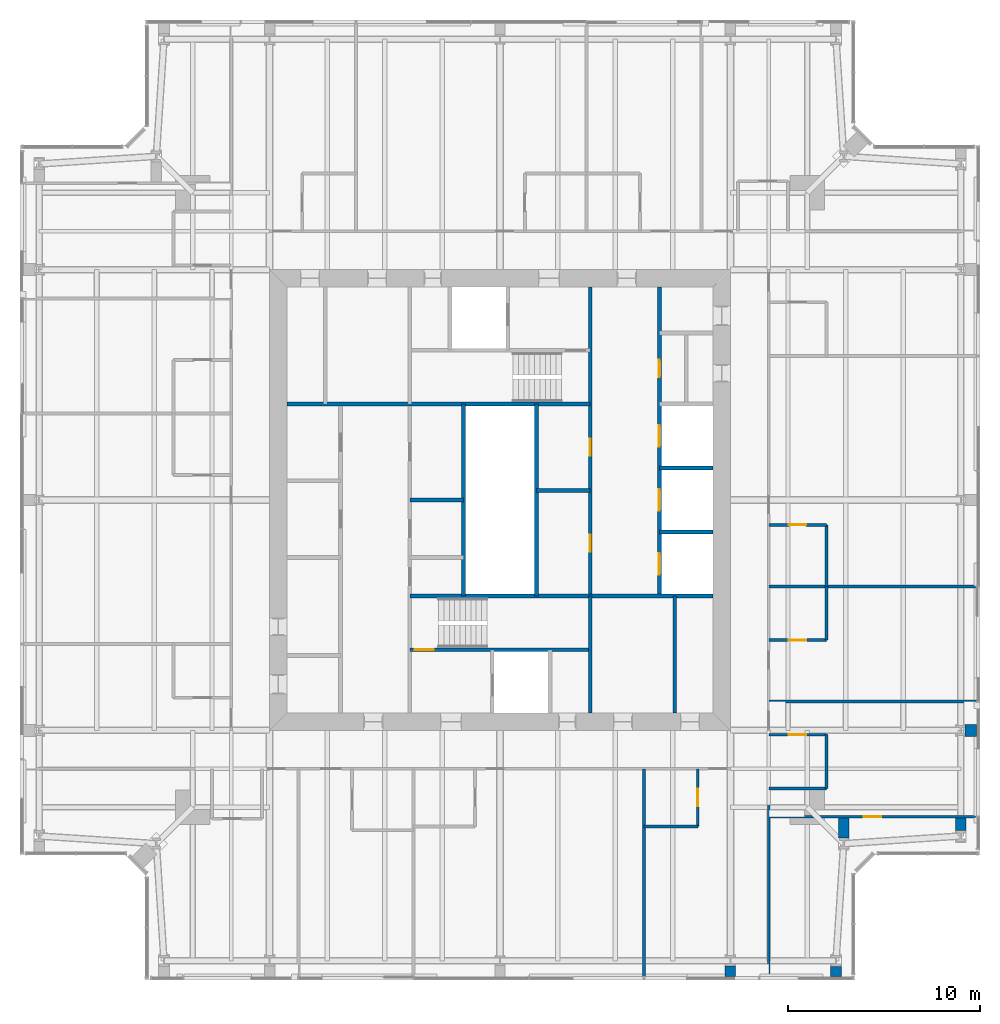
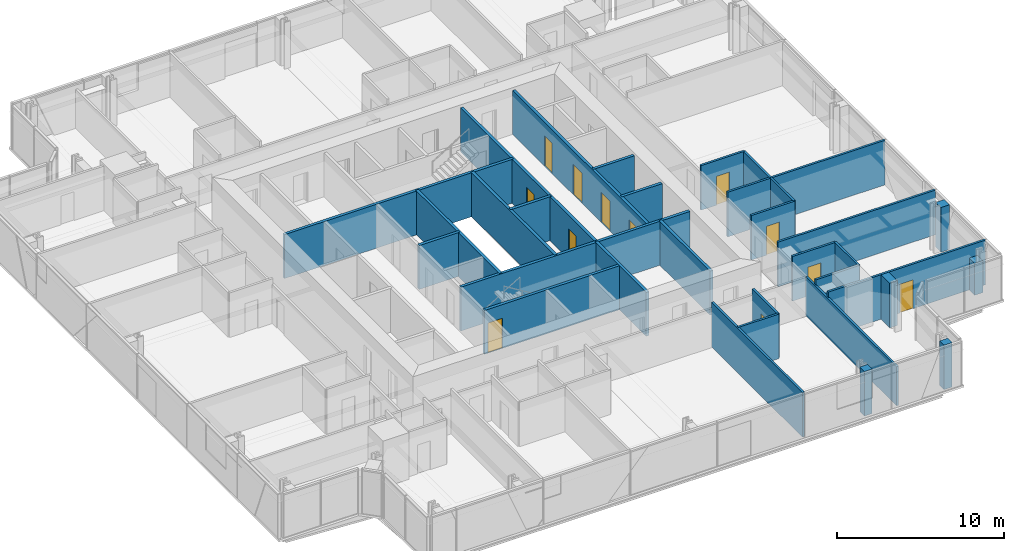
# One storey, part 13 of 19: 32 walls, 12 doors, 12 openings.
"""IFC4 building model written with IfcOpenShell, lengths in metres."""

from ifc_helpers import new_model, si_unit, direction, frame, frame_2d, origin, place, context, subcontext, project, spatial, rectangle, extrude, material, layer, layer_set, type_object, element, fill, save


model = new_model("IFC4")

# Units and contexts
model_context = context("Model", 3, precision=1e-05, world=origin(), true_north=direction((0.0, 1.0)))
body_context = subcontext(model_context, "Body", "Model", "MODEL_VIEW")
ifc_project = project(units=[si_unit("LENGTHUNIT", "METRE"), si_unit("AREAUNIT", "SQUARE_METRE"), si_unit("VOLUMEUNIT", "CUBIC_METRE"), si_unit("PLANEANGLEUNIT", "RADIAN"), si_unit("MASSUNIT", "GRAM", prefix="KILO")], contexts=[model_context])

# Site, building, storey
site_placement = place(None, origin())
site = spatial("IfcSite", under=ifc_project, at=site_placement, CompositionType="ELEMENT")
building_placement = place(site_placement, origin())
building = spatial("IfcBuilding", under=site, at=building_placement, Name="Fenwick Lantern Interchange", CompositionType="ELEMENT")
storey_placement = place(building_placement, frame((0.0, 0.0, 273.0)))
storey = spatial("IfcBuildingStorey", under=building, at=storey_placement, Name="L65", CompositionType="ELEMENT", Elevation=273.0)

# Walls
ifc_material_1 = material(Name="Fire-rated gypsum board encasement on steel studs, 2 hour", Category="steel")
ifc_layer_1 = layer(ifc_material_1, 0.5419921875)
ifc_layer_set_1 = layer_set([ifc_layer_1], Name="COLUMN PIER 542")
wall_type_1 = type_object("IfcWallType", Name="COLUMN PIER 542", PredefinedType="PARTITIONING", material=ifc_layer_set_1)
wall_1_placement = place(storey_placement, frame((37.0, 0.18994140625, 0.0), z_axis=(0.0, 0.0, 1.0), x_axis=(0.0, 1.0, 0.0)))
element("IfcWall", 1, at=wall_1_placement, inside=storey, type_object=wall_type_1, Name="L65/W/PIER/CS4", PredefinedType="PARTITIONING", context=body_context, shape_type="SweptSolid", body=[
    extrude(rectangle(XDim=0.544677734375, YDim=0.5419921875, at=frame_2d((0.2724609375, 0.0))), origin(), (0.0, 0.0, 1.0), 3.25),
])
ifc_layer_2 = layer(ifc_material_1, 0.554931640625)
ifc_layer_set_2 = layer_set([ifc_layer_2], Name="COLUMN PIER 555")
wall_type_2 = type_object("IfcWallType", Name="COLUMN PIER 555", PredefinedType="PARTITIONING", material=ifc_layer_set_2)
wall_2_placement = place(storey_placement, frame((42.5, 0.18994140625, 0.0), z_axis=(0.0, 0.0, 1.0), x_axis=(0.0, 1.0, 0.0)))
element("IfcWall", 2, at=wall_2_placement, inside=storey, type_object=wall_type_2, Name="L65/W/PIER/CS5", PredefinedType="PARTITIONING", context=body_context, shape_type="SweptSolid", body=[
    extrude(rectangle(XDim=0.525634765625, YDim=0.554931640625, at=frame_2d((0.2626953125, 0.0))), origin(), (0.0, 0.0, 1.0), 3.25),
])
wall_3_placement = place(storey_placement, frame((42.89990234375, 8.425048828125, 0.0), z_axis=(0.0, 0.0, 1.0), x_axis=(0.0, -1.0, 0.0)))
element("IfcWall", 3, at=wall_3_placement, inside=storey, type_object=wall_type_2, Name="L65/W/PIER/CSR", PredefinedType="PARTITIONING", context=body_context, shape_type="SweptSolid", body=[
    extrude(rectangle(XDim=1.04052734375, YDim=0.554931640625, at=frame_2d((0.520263671875, 0.0))), origin(), (0.0, 0.0, 1.0), 3.25),
])
wall_4_placement = place(storey_placement, frame((49.0, 8.425048828125, 0.0), z_axis=(0.0, 0.0, 1.0), x_axis=(0.0, -1.0, 0.0)))
element("IfcWall", 4, at=wall_4_placement, inside=storey, type_object=wall_type_2, Name="L65/W/PIER/CE1", PredefinedType="PARTITIONING", context=body_context, shape_type="SweptSolid", body=[
    extrude(rectangle(XDim=0.640625, YDim=0.554931640625, at=frame_2d((0.3203125, 0.0))), origin(), (0.0, 0.0, 1.0), 2.338134765625),
])
ifc_layer_3 = layer(ifc_material_1, 0.631103515625)
ifc_layer_set_3 = layer_set([ifc_layer_3], Name="COLUMN PIER 631")
wall_type_3 = type_object("IfcWallType", Name="COLUMN PIER 631", PredefinedType="PARTITIONING", material=ifc_layer_set_3)
wall_5_placement = place(storey_placement, frame((49.81005859375, 13.0, 0.0), z_axis=(0.0, 0.0, 1.0), x_axis=(-1.0, 0.0, 0.0)))
element("IfcWall", 5, at=wall_5_placement, inside=storey, type_object=wall_type_3, Name="L65/W/PIER/CE2", PredefinedType="PARTITIONING", context=body_context, shape_type="SweptSolid", body=[
    extrude(rectangle(XDim=0.589111328125, YDim=0.631103515625, at=frame_2d((0.29443359375, 0.0))), origin(), (0.0, 0.0, 1.0), 3.25),
])
ifc_material_2 = material(Name="Concrete masonry ASTM C90 Grade N", Category="masonry")
ifc_layer_4 = layer(ifc_material_2, 0.199951171875)
ifc_layer_set_4 = layer_set([ifc_layer_4], Name="Concrete masonry ASTM C90 Grade N")
wall_type_4 = type_object("IfcWallType", Name="CORE PARTITION 200", PredefinedType="PARTITIONING", material=ifc_layer_set_4)
wall_6_placement = place(storey_placement, frame((23.10009765625, 20.0, 0.0), z_axis=(0.0, 0.0, 1.0), x_axis=(0.0, 1.0, 0.0)))
element("IfcWall", 6, at=wall_6_placement, inside=storey, type_object=wall_type_4, Name="L65/W/CORES/e3", PredefinedType="PARTITIONING", context=body_context, shape_type="SweptSolid", body=[
    extrude(rectangle(XDim=10.0, YDim=0.199951171875, at=frame_2d((5.0, 0.0))), origin(), (0.0, 0.0, 1.0), 3.199951171875),
])
wall_7_placement = place(storey_placement, frame((34.10009765625, 13.89990234375, 0.0), z_axis=(0.0, 0.0, 1.0), x_axis=(0.0, 1.0, 0.0)))
element("IfcWall", 7, at=wall_7_placement, inside=storey, type_object=wall_type_4, Name="L65/W/CORES/i2", PredefinedType="PARTITIONING", context=body_context, shape_type="SweptSolid", body=[
    extrude(rectangle(XDim=6.10009765625, YDim=0.199951171875, at=frame_2d((3.050048828125, 0.0))), origin(), (0.0, 0.0, 1.0), 3.199951171875),
])
wall_8_placement = place(storey_placement, frame((20.300048828125, 25.0, 0.0), z_axis=(0.0, 0.0, 1.0), x_axis=(1.0, 0.0, 0.0)))
element("IfcWall", 8, at=wall_8_placement, inside=storey, type_object=wall_type_4, Name="L65/W/CORES/q2", PredefinedType="PARTITIONING", context=body_context, shape_type="SweptSolid", body=[
    extrude(rectangle(XDim=2.800048828125, YDim=0.199951171875, at=frame_2d((1.39990234375, 0.0))), origin(), (0.0, 0.0, 1.0), 3.199951171875),
])

# Wall, openings, doors
wall_9_placement = place(storey_placement, frame((33.300048828125, 36.10009765625, 0.0), z_axis=(0.0, 0.0, 1.0), x_axis=(0.0, -1.0, 0.0)))
wall_9 = element("IfcWall", 9, at=wall_9_placement, inside=storey, type_object=wall_type_4, Name="L65/W/COREN/a", PredefinedType="PARTITIONING", context=body_context, shape_type="SweptSolid", body=[
    extrude(rectangle(XDim=16.10009765625, YDim=0.199951171875, at=frame_2d((8.050048828125, 0.0))), origin(), (0.0, 0.0, 1.0), 3.199951171875),
])
opening_1_placement = place(wall_9_placement, frame((3.800048828125, 0.0, 0.0)))
opening_1 = element("IfcOpeningElement", 10, at=opening_1_placement, cuts=wall_9, Name="Opening L65-D021", PredefinedType="OPENING", context=body_context, shape_type="SweptSolid", body=[
    extrude(rectangle(XDim=0.89990234375, YDim=2.199951171875, at=frame_2d((0.449951171875, 1.10009765625))), frame((0.0, 0.10986328125, 0.0), z_axis=(0.0, -1.0, 0.0), x_axis=(1.0, 0.0, 0.0)), (0.0, 0.0, 1.0), 0.219970703125),
])
opening_2_placement = place(wall_9_placement, frame((7.216552734375, 0.0, 0.0)))
opening_2 = element("IfcOpeningElement", 11, at=opening_2_placement, cuts=wall_9, Name="Opening LD-E1-1", PredefinedType="OPENING", context=body_context, shape_type="SweptSolid", body=[
    extrude(rectangle(XDim=1.10009765625, YDim=2.199951171875, at=frame_2d((0.550048828125, 1.10009765625))), frame((0.0, 0.10986328125, 0.0), z_axis=(0.0, -1.0, 0.0), x_axis=(1.0, 0.0, 0.0)), (0.0, 0.0, 1.0), 0.219970703125),
])
opening_3_placement = place(wall_9_placement, frame((10.550048828125, 0.0, 0.0)))
opening_3 = element("IfcOpeningElement", 12, at=opening_3_placement, cuts=wall_9, Name="Opening LD-E1-2", PredefinedType="OPENING", context=body_context, shape_type="SweptSolid", body=[
    extrude(rectangle(XDim=1.10009765625, YDim=2.199951171875, at=frame_2d((0.550048828125, 1.10009765625))), frame((0.0, 0.10986328125, 0.0), z_axis=(0.0, -1.0, 0.0), x_axis=(1.0, 0.0, 0.0)), (0.0, 0.0, 1.0), 0.219970703125),
])
opening_4_placement = place(wall_9_placement, frame((13.88330078125, 0.0, 0.0)))
opening_4 = element("IfcOpeningElement", 13, at=opening_4_placement, cuts=wall_9, Name="Opening LD-E1-3", PredefinedType="OPENING", context=body_context, shape_type="SweptSolid", body=[
    extrude(rectangle(XDim=1.10009765625, YDim=2.199951171875, at=frame_2d((0.550048828125, 1.10009765625))), frame((0.0, 0.10986328125, 0.0), z_axis=(0.0, -1.0, 0.0), x_axis=(1.0, 0.0, 0.0)), (0.0, 0.0, 1.0), 0.219970703125),
])
ifc_material_3 = material(Name="Steel door and frame", Category="steel")
door_type_1 = type_object("IfcDoorType", Name="LIFT LANDING DOOR 1100 X 2200", OperationType="DOUBLE_DOOR_SLIDING", PredefinedType="DOOR", material=ifc_material_3)
door_1_placement = place(opening_2_placement, origin())
door_1 = element("IfcDoor", 14, at=door_1_placement, inside=storey, type_object=door_type_1, Name="Lift landing door E1-1", OperationType="DOUBLE_DOOR_SLIDING", OverallHeight=2.199951171875, OverallWidth=1.10009765625, PredefinedType="DOOR", context=body_context, shape_type="SweptSolid", body=[
    extrude(rectangle(XDim=1.10009765625, YDim=2.199951171875, at=frame_2d((0.550048828125, 1.10009765625))), frame((0.0, 0.02490234375, 0.0), z_axis=(0.0, -1.0, 0.0), x_axis=(1.0, 0.0, 0.0)), (0.0, 0.0, 1.0), 0.050048828125),
])
fill(opening_2, door_1)
door_2_placement = place(opening_3_placement, origin())
door_2 = element("IfcDoor", 15, at=door_2_placement, inside=storey, type_object=door_type_1, Name="Lift landing door E1-2", OperationType="DOUBLE_DOOR_SLIDING", OverallHeight=2.199951171875, OverallWidth=1.10009765625, PredefinedType="DOOR", context=body_context, shape_type="SweptSolid", body=[
    extrude(rectangle(XDim=1.10009765625, YDim=2.199951171875, at=frame_2d((0.550048828125, 1.10009765625))), frame((0.0, 0.02490234375, 0.0), z_axis=(0.0, -1.0, 0.0), x_axis=(1.0, 0.0, 0.0)), (0.0, 0.0, 1.0), 0.050048828125),
])
fill(opening_3, door_2)
door_3_placement = place(opening_4_placement, origin())
door_3 = element("IfcDoor", 16, at=door_3_placement, inside=storey, type_object=door_type_1, Name="Lift landing door E1-3", OperationType="DOUBLE_DOOR_SLIDING", OverallHeight=2.199951171875, OverallWidth=1.10009765625, PredefinedType="DOOR", context=body_context, shape_type="SweptSolid", body=[
    extrude(rectangle(XDim=1.10009765625, YDim=2.199951171875, at=frame_2d((0.550048828125, 1.10009765625))), frame((0.0, 0.02490234375, 0.0), z_axis=(0.0, -1.0, 0.0), x_axis=(1.0, 0.0, 0.0)), (0.0, 0.0, 1.0), 0.050048828125),
])
fill(opening_4, door_3)
door_type_2 = type_object("IfcDoorType", Name="SERVICE DOOR 900 X 2200", OperationType="SINGLE_SWING_LEFT", PredefinedType="DOOR", material=ifc_material_3)
door_4_placement = place(opening_1_placement, origin())
door_4 = element("IfcDoor", 17, at=door_4_placement, inside=storey, type_object=door_type_2, Name="Service door", OperationType="SINGLE_SWING_LEFT", OverallHeight=2.199951171875, OverallWidth=0.89990234375, PredefinedType="DOOR", context=body_context, shape_type="SweptSolid", body=[
    extrude(rectangle(XDim=0.89990234375, YDim=2.199951171875, at=frame_2d((0.449951171875, 1.10009765625))), frame((0.0, 0.02490234375, 0.0), z_axis=(0.0, -1.0, 0.0), x_axis=(1.0, 0.0, 0.0)), (0.0, 0.0, 1.0), 0.050048828125),
])
fill(opening_1, door_4)

# Walls
for number, where, z_axis, x_axis, name in (
    (18, (36.10009765625, 26.666748046875, 0.0), (0.0, 0.0, 1.0), (-1.0, 0.0, 0.0), "L65/W/COREN/d1"),
    (19, (36.10009765625, 23.333251953125, 0.0), (0.0, 0.0, 1.0), (-1.0, 0.0, 0.0), "L65/W/COREN/d2"),
):
    element("IfcWall", number, at=place(storey_placement, frame(where, z_axis=z_axis, x_axis=x_axis)), inside=storey, type_object=wall_type_4, Name=name, PredefinedType="PARTITIONING", context=body_context, shape_type="SweptSolid", body=[
        extrude(rectangle(XDim=2.800048828125, YDim=0.199951171875, at=frame_2d((1.39990234375, 0.0))), origin(), (0.0, 0.0, 1.0), 3.199951171875),
    ])
wall_10_placement = place(storey_placement, frame((26.89990234375, 30.0, 0.0), z_axis=(0.0, 0.0, 1.0), x_axis=(0.0, -1.0, 0.0)))
element("IfcWall", 20, at=wall_10_placement, inside=storey, type_object=wall_type_4, Name="L65/W/COREN/e3", PredefinedType="PARTITIONING", context=body_context, shape_type="SweptSolid", body=[
    extrude(rectangle(XDim=10.0, YDim=0.199951171875, at=frame_2d((5.0, 0.0))), origin(), (0.0, 0.0, 1.0), 3.199951171875),
])
wall_11_placement = place(storey_placement, frame((29.699951171875, 25.5, 0.0), z_axis=(0.0, 0.0, 1.0), x_axis=(-1.0, 0.0, 0.0)))
element("IfcWall", 21, at=wall_11_placement, inside=storey, type_object=wall_type_4, Name="L65/W/COREN/q1", PredefinedType="PARTITIONING", context=body_context, shape_type="SweptSolid", body=[
    extrude(rectangle(XDim=2.800048828125, YDim=0.199951171875, at=frame_2d((1.39990234375, 0.0))), origin(), (0.0, 0.0, 1.0), 3.199951171875),
])
ifc_material_4 = material(Name="Gypsum board on steel studs, moisture resistant", Category="steel")
ifc_layer_5 = layer(ifc_material_4, 0.14990234375)
ifc_layer_set_5 = layer_set([ifc_layer_5], Name="EN-SUITE WALL 150")
wall_type_5 = type_object("IfcWallType", Name="EN-SUITE WALL 150", PredefinedType="PARTITIONING", material=ifc_layer_set_5)
wall_12_placement = place(storey_placement, frame((32.5, 8.0, 0.0), z_axis=(0.0, 0.0, 1.0), x_axis=(1.0, 0.0, 0.0)))
element("IfcWall", 22, at=wall_12_placement, inside=storey, type_object=wall_type_5, Name="L65/W/HOTEL/S/U4BW", PredefinedType="PARTITIONING", context=body_context, shape_type="SweptSolid", body=[
    extrude(rectangle(XDim=2.800048828125, YDim=0.14990234375, at=frame_2d((1.39990234375, 0.0))), origin(), (0.0, 0.0, 1.0), 3.25),
])

# Wall, opening, door
wall_13_placement = place(storey_placement, frame((35.300048828125, 8.0, 0.0), z_axis=(0.0, 0.0, 1.0), x_axis=(0.0, 1.0, 0.0)))
wall_13 = element("IfcWall", 23, at=wall_13_placement, inside=storey, type_object=wall_type_5, Name="L65/W/HOTEL/S/U4BX", PredefinedType="PARTITIONING", context=body_context, shape_type="SweptSolid", body=[
    extrude(rectangle(XDim=3.0, YDim=0.14990234375, at=frame_2d((1.5, 0.0))), origin(), (0.0, 0.0, 1.0), 3.25),
])
opening_5_placement = place(wall_13_placement, frame((1.050048828125, 0.0, 0.0)))
opening_5 = element("IfcOpeningElement", 24, at=opening_5_placement, cuts=wall_13, Name="Opening L65-D031", PredefinedType="OPENING", context=body_context, shape_type="SweptSolid", body=[
    extrude(rectangle(XDim=0.89990234375, YDim=2.10009765625, at=frame_2d((0.449951171875, 1.050048828125))), frame((0.0, 0.0849609375, 0.0), z_axis=(0.0, -1.0, 0.0), x_axis=(1.0, 0.0, 0.0)), (0.0, 0.0, 1.0), 0.169921875),
])
ifc_material_5 = material(Name="Hardwood door and steel frame", Category="steel")
door_type_3 = type_object("IfcDoorType", Name="EN-SUITE DOOR 900 X 2100", OperationType="SINGLE_SWING_LEFT", PredefinedType="DOOR", material=ifc_material_5)
door_5_placement = place(opening_5_placement, origin())
door_5 = element("IfcDoor", 25, at=door_5_placement, inside=storey, type_object=door_type_3, Name="En-suite door", OperationType="SINGLE_SWING_LEFT", OverallHeight=2.10009765625, OverallWidth=0.89990234375, PredefinedType="DOOR", context=body_context, shape_type="SweptSolid", body=[
    extrude(rectangle(XDim=0.89990234375, YDim=2.10009765625, at=frame_2d((0.449951171875, 1.050048828125))), frame((0.0, 0.02490234375, 0.0), z_axis=(0.0, -1.0, 0.0), x_axis=(1.0, 0.0, 0.0)), (0.0, 0.0, 1.0), 0.050048828125),
])
fill(opening_5, door_5)

# Wall
wall_14_placement = place(storey_placement, frame((42.0, 9.97509765625, 0.0), z_axis=(0.0, 0.0, 1.0), x_axis=(0.0, 1.0, 0.0)))
element("IfcWall", 26, at=wall_14_placement, inside=storey, type_object=wall_type_5, Name="L65/W/HOTEL/E/U1BW", PredefinedType="PARTITIONING", context=body_context, shape_type="SweptSolid", body=[
    extrude(rectangle(XDim=2.7998046875, YDim=0.14990234375, at=frame_2d((1.39990234375, 0.0))), origin(), (0.0, 0.0, 1.0), 3.25),
])

# Wall, opening, door
wall_15_placement = place(storey_placement, frame((42.0, 12.77490234375, 0.0), z_axis=(0.0, 0.0, 1.0), x_axis=(-1.0, 0.0, 0.0)))
wall_15 = element("IfcWall", 27, at=wall_15_placement, inside=storey, type_object=wall_type_5, Name="L65/W/HOTEL/E/U1BX", PredefinedType="PARTITIONING", context=body_context, shape_type="SweptSolid", body=[
    extrude(rectangle(XDim=3.0, YDim=0.14990234375, at=frame_2d((1.5, 0.0))), origin(), (0.0, 0.0, 1.0), 3.25),
])
opening_6_placement = place(wall_15_placement, frame((1.050048828125, 0.0, 0.0)))
opening_6 = element("IfcOpeningElement", 28, at=opening_6_placement, cuts=wall_15, Name="Opening L65-D033", PredefinedType="OPENING", context=body_context, shape_type="SweptSolid", body=[
    extrude(rectangle(XDim=0.89990234375, YDim=2.10009765625, at=frame_2d((0.449951171875, 1.050048828125))), frame((0.0, 0.0849609375, 0.0), z_axis=(0.0, -1.0, 0.0), x_axis=(1.0, 0.0, 0.0)), (0.0, 0.0, 1.0), 0.169921875),
])
door_6_placement = place(opening_6_placement, origin())
door_6 = element("IfcDoor", 29, at=door_6_placement, inside=storey, type_object=door_type_3, Name="En-suite door", OperationType="SINGLE_SWING_LEFT", OverallHeight=2.10009765625, OverallWidth=0.89990234375, PredefinedType="DOOR", context=body_context, shape_type="SweptSolid", body=[
    extrude(rectangle(XDim=0.89990234375, YDim=2.10009765625, at=frame_2d((0.449951171875, 1.050048828125))), frame((0.0, 0.02490234375, 0.0), z_axis=(0.0, -1.0, 0.0), x_axis=(1.0, 0.0, 0.0)), (0.0, 0.0, 1.0), 0.050048828125),
])
fill(opening_6, door_6)

# Walls
wall_16_placement = place(storey_placement, frame((42.0, 9.97509765625, 0.0), z_axis=(0.0, 0.0, 1.0), x_axis=(-1.0, 0.0, 0.0)))
element("IfcWall", 30, at=wall_16_placement, inside=storey, type_object=wall_type_5, Name="L65/W/HOTEL/E/U1BV", PredefinedType="PARTITIONING", context=body_context, shape_type="SweptSolid", body=[
    extrude(rectangle(XDim=3.0, YDim=0.14990234375, at=frame_2d((1.5, 0.0))), origin(), (0.0, 0.0, 1.0), 3.25),
])
wall_17_placement = place(storey_placement, frame((42.0, 17.699951171875, 0.0), z_axis=(0.0, 0.0, 1.0), x_axis=(0.0, 1.0, 0.0)))
element("IfcWall", 31, at=wall_17_placement, inside=storey, type_object=wall_type_5, Name="L65/W/HOTEL/E/U2BW", PredefinedType="PARTITIONING", context=body_context, shape_type="SweptSolid", body=[
    extrude(rectangle(XDim=2.800048828125, YDim=0.14990234375, at=frame_2d((1.39990234375, 0.0))), origin(), (0.0, 0.0, 1.0), 3.25),
])

# Wall, opening, door
wall_18_placement = place(storey_placement, frame((42.0, 17.699951171875, 0.0), z_axis=(0.0, 0.0, 1.0), x_axis=(-1.0, 0.0, 0.0)))
wall_18 = element("IfcWall", 32, at=wall_18_placement, inside=storey, type_object=wall_type_5, Name="L65/W/HOTEL/E/U2BX", PredefinedType="PARTITIONING", context=body_context, shape_type="SweptSolid", body=[
    extrude(rectangle(XDim=3.0, YDim=0.14990234375, at=frame_2d((1.5, 0.0))), origin(), (0.0, 0.0, 1.0), 3.25),
])
opening_7_placement = place(wall_18_placement, frame((1.050048828125, 0.0, 0.0)))
opening_7 = element("IfcOpeningElement", 33, at=opening_7_placement, cuts=wall_18, Name="Opening L65-D036", PredefinedType="OPENING", context=body_context, shape_type="SweptSolid", body=[
    extrude(rectangle(XDim=0.89990234375, YDim=2.10009765625, at=frame_2d((0.449951171875, 1.050048828125))), frame((0.0, 0.0849609375, 0.0), z_axis=(0.0, -1.0, 0.0), x_axis=(1.0, 0.0, 0.0)), (0.0, 0.0, 1.0), 0.169921875),
])
door_7_placement = place(opening_7_placement, frame((0.89990234375, 0.0, 0.0), z_axis=(0.0, 0.0, 1.0), x_axis=(-1.0, 0.0, 0.0)))
door_7 = element("IfcDoor", 34, at=door_7_placement, inside=storey, type_object=door_type_3, Name="En-suite door", OperationType="SINGLE_SWING_RIGHT", OverallHeight=2.10009765625, OverallWidth=0.89990234375, PredefinedType="DOOR", context=body_context, shape_type="SweptSolid", body=[
    extrude(rectangle(XDim=0.89990234375, YDim=2.10009765625, at=frame_2d((0.449951171875, 1.050048828125))), frame((0.0, 0.02490234375, 0.0), z_axis=(0.0, -1.0, 0.0), x_axis=(1.0, 0.0, 0.0)), (0.0, 0.0, 1.0), 0.050048828125),
])
fill(opening_7, door_7)

# Wall
wall_19_placement = place(storey_placement, frame((42.0, 20.5, 0.0), z_axis=(0.0, 0.0, 1.0), x_axis=(0.0, 1.0, 0.0)))
element("IfcWall", 35, at=wall_19_placement, inside=storey, type_object=wall_type_5, Name="L65/W/HOTEL/E/U3BW", PredefinedType="PARTITIONING", context=body_context, shape_type="SweptSolid", body=[
    extrude(rectangle(XDim=3.199951171875, YDim=0.14990234375, at=frame_2d((1.60009765625, 0.0))), origin(), (0.0, 0.0, 1.0), 3.25),
])

# Wall, opening, door
wall_20_placement = place(storey_placement, frame((42.0, 23.699951171875, 0.0), z_axis=(0.0, 0.0, 1.0), x_axis=(-1.0, 0.0, 0.0)))
wall_20 = element("IfcWall", 36, at=wall_20_placement, inside=storey, type_object=wall_type_5, Name="L65/W/HOTEL/E/U3BX", PredefinedType="PARTITIONING", context=body_context, shape_type="SweptSolid", body=[
    extrude(rectangle(XDim=3.0, YDim=0.14990234375, at=frame_2d((1.5, 0.0))), origin(), (0.0, 0.0, 1.0), 3.25),
])
opening_8_placement = place(wall_20_placement, frame((1.050048828125, 0.0, 0.0)))
opening_8 = element("IfcOpeningElement", 37, at=opening_8_placement, cuts=wall_20, Name="Opening L65-D038", PredefinedType="OPENING", context=body_context, shape_type="SweptSolid", body=[
    extrude(rectangle(XDim=0.89990234375, YDim=2.10009765625, at=frame_2d((0.449951171875, 1.050048828125))), frame((0.0, 0.0849609375, 0.0), z_axis=(0.0, -1.0, 0.0), x_axis=(1.0, 0.0, 0.0)), (0.0, 0.0, 1.0), 0.169921875),
])
door_8_placement = place(opening_8_placement, origin())
door_8 = element("IfcDoor", 38, at=door_8_placement, inside=storey, type_object=door_type_3, Name="En-suite door", OperationType="SINGLE_SWING_LEFT", OverallHeight=2.10009765625, OverallWidth=0.89990234375, PredefinedType="DOOR", context=body_context, shape_type="SweptSolid", body=[
    extrude(rectangle(XDim=0.89990234375, YDim=2.10009765625, at=frame_2d((0.449951171875, 1.050048828125))), frame((0.0, 0.02490234375, 0.0), z_axis=(0.0, -1.0, 0.0), x_axis=(1.0, 0.0, 0.0)), (0.0, 0.0, 1.0), 0.050048828125),
])
fill(opening_8, door_8)

# Walls
ifc_material_6 = material(Name="Gypsum board on steel studs, 1 hour acoustic", Category="steel")
ifc_layer_6 = layer(ifc_material_6, 0.14990234375)
ifc_layer_set_6 = layer_set([ifc_layer_6], Name="PARTY WALL 150")
wall_type_6 = type_object("IfcWallType", Name="PARTY WALL 150", PredefinedType="PARTITIONING", material=ifc_layer_set_6)
wall_21_placement = place(storey_placement, frame((32.5, 0.14990234375, 0.0), z_axis=(0.0, 0.0, 1.0), x_axis=(0.0, 1.0, 0.0)))
element("IfcWall", 39, at=wall_21_placement, inside=storey, type_object=wall_type_6, Name="L65/W/HOTEL/S/U4PW", PredefinedType="PARTITIONING", context=body_context, shape_type="SweptSolid", body=[
    extrude(rectangle(XDim=10.85009765625, YDim=0.14990234375, at=frame_2d((5.425048828125, 0.0))), origin(), (0.0, 0.0, 1.0), 3.25),
])
wall_22_placement = place(storey_placement, frame((39.0, 0.14990234375, 0.0), z_axis=(0.0, 0.0, 1.0), x_axis=(0.0, 1.0, 0.0)))
element("IfcWall", 40, at=wall_22_placement, inside=storey, type_object=wall_type_6, Name="L65/W/HOTEL/E/SW3", PredefinedType="PARTITIONING", context=body_context, shape_type="SweptSolid", body=[
    extrude(rectangle(XDim=10.85009765625, YDim=0.14990234375, at=frame_2d((5.425048828125, 0.0))), origin(), (0.0, 0.0, 1.0), 2.843505859375),
])
for number, where, z_axis, x_axis, name in (
    (41, (49.85009765625, 14.5, 0.0), (0.0, 0.0, 1.0), (-1.0, 0.0, 0.0), "L65/W/HOTEL/E/U2PW"),
    (42, (49.85009765625, 20.5, 0.0), (0.0, 0.0, 1.0), (-1.0, 0.0, 0.0), "L65/W/HOTEL/E/U3PW"),
):
    element("IfcWall", number, at=place(storey_placement, frame(where, z_axis=z_axis, x_axis=x_axis)), inside=storey, type_object=wall_type_6, Name=name, PredefinedType="PARTITIONING", context=body_context, shape_type="SweptSolid", body=[
        extrude(rectangle(XDim=10.85009765625, YDim=0.14990234375, at=frame_2d((5.425048828125, 0.0))), origin(), (0.0, 0.0, 1.0), 3.25),
    ])

# Wall, opening, door
ifc_material_7 = material(Name="Concrete f'c 45 MPa", Category="concrete")
ifc_layer_7 = layer(ifc_material_7, 0.199951171875)
ifc_layer_set_7 = layer_set([ifc_layer_7], Name="STAIR CORE WALL 200")
wall_type_7 = type_object("IfcWallType", Name="STAIR CORE WALL 200", PredefinedType="SOLIDWALL", material=ifc_layer_set_7)
wall_23_placement = place(storey_placement, frame((20.300048828125, 17.199951171875, 0.0), z_axis=(0.0, 0.0, 1.0), x_axis=(1.0, 0.0, 0.0)))
wall_23 = element("IfcWall", 43, at=wall_23_placement, inside=storey, type_object=wall_type_7, Name="L65/W/CORES/g1", PredefinedType="SOLIDWALL", context=body_context, shape_type="SweptSolid", body=[
    extrude(rectangle(XDim=9.39990234375, YDim=0.199951171875, at=frame_2d((4.699951171875, 0.0))), origin(), (0.0, 0.0, 1.0), 3.199951171875),
])
opening_9_placement = place(wall_23_placement, frame((0.25, 0.0, 0.0)))
opening_9 = element("IfcOpeningElement", 44, at=opening_9_placement, cuts=wall_23, Name="Opening L65-D003", PredefinedType="OPENING", context=body_context, shape_type="SweptSolid", body=[
    extrude(rectangle(XDim=1.0, YDim=2.199951171875, at=frame_2d((0.5, 1.10009765625))), frame((0.0, 0.10986328125, 0.0), z_axis=(0.0, -1.0, 0.0), x_axis=(1.0, 0.0, 0.0)), (0.0, 0.0, 1.0), 0.219970703125),
])
door_type_4 = type_object("IfcDoorType", Name="STAIR DOOR 1000 X 2200", OperationType="SINGLE_SWING_LEFT", PredefinedType="DOOR", material=ifc_material_3)
door_9_placement = place(opening_9_placement, origin())
door_9 = element("IfcDoor", 45, at=door_9_placement, inside=storey, type_object=door_type_4, Name="Stair door", OperationType="SINGLE_SWING_LEFT", OverallHeight=2.199951171875, OverallWidth=1.0, PredefinedType="DOOR", context=body_context, shape_type="SweptSolid", body=[
    extrude(rectangle(XDim=1.0, YDim=2.199951171875, at=frame_2d((0.5, 1.10009765625))), frame((0.0, 0.02490234375, 0.0), z_axis=(0.0, -1.0, 0.0), x_axis=(1.0, 0.0, 0.0)), (0.0, 0.0, 1.0), 0.050048828125),
])
fill(opening_9, door_9)

# Walls
wall_24_placement = place(storey_placement, frame((20.300048828125, 20.0, 0.0), z_axis=(0.0, 0.0, 1.0), x_axis=(1.0, 0.0, 0.0)))
element("IfcWall", 46, at=wall_24_placement, inside=storey, type_object=wall_type_7, Name="L65/W/CORES/g2", PredefinedType="SOLIDWALL", context=body_context, shape_type="SweptSolid", body=[
    extrude(rectangle(XDim=15.800048828125, YDim=0.199951171875, at=frame_2d((7.89990234375, 0.0))), origin(), (0.0, 0.0, 1.0), 3.199951171875),
])
wall_25_placement = place(storey_placement, frame((29.699951171875, 13.89990234375, 0.0), z_axis=(0.0, 0.0, 1.0), x_axis=(0.0, 1.0, 0.0)))
element("IfcWall", 47, at=wall_25_placement, inside=storey, type_object=wall_type_7, Name="L65/W/CORES/i1", PredefinedType="SOLIDWALL", context=body_context, shape_type="SweptSolid", body=[
    extrude(rectangle(XDim=6.10009765625, YDim=0.199951171875, at=frame_2d((3.050048828125, 0.0))), origin(), (0.0, 0.0, 1.0), 3.199951171875),
])

# Wall, openings, doors
wall_26_placement = place(storey_placement, frame((29.699951171875, 36.10009765625, 0.0), z_axis=(0.0, 0.0, 1.0), x_axis=(0.0, -1.0, 0.0)))
wall_26 = element("IfcWall", 48, at=wall_26_placement, inside=storey, type_object=wall_type_7, Name="L65/W/COREN/b", PredefinedType="SOLIDWALL", context=body_context, shape_type="SweptSolid", body=[
    extrude(rectangle(XDim=16.10009765625, YDim=0.199951171875, at=frame_2d((8.050048828125, 0.0))), origin(), (0.0, 0.0, 1.0), 3.199951171875),
])
opening_10_placement = place(wall_26_placement, frame((7.89990234375, 0.0, 0.0)))
opening_10 = element("IfcOpeningElement", 49, at=opening_10_placement, cuts=wall_26, Name="Opening L65-D023", PredefinedType="OPENING", context=body_context, shape_type="SweptSolid", body=[
    extrude(rectangle(XDim=0.89990234375, YDim=2.199951171875, at=frame_2d((0.449951171875, 1.10009765625))), frame((0.0, 0.10986328125, 0.0), z_axis=(0.0, -1.0, 0.0), x_axis=(1.0, 0.0, 0.0)), (0.0, 0.0, 1.0), 0.219970703125),
])
opening_11_placement = place(wall_26_placement, frame((12.89990234375, 0.0, 0.0)))
opening_11 = element("IfcOpeningElement", 50, at=opening_11_placement, cuts=wall_26, Name="Opening L65-D024", PredefinedType="OPENING", context=body_context, shape_type="SweptSolid", body=[
    extrude(rectangle(XDim=0.89990234375, YDim=2.199951171875, at=frame_2d((0.449951171875, 1.10009765625))), frame((0.0, 0.10986328125, 0.0), z_axis=(0.0, -1.0, 0.0), x_axis=(1.0, 0.0, 0.0)), (0.0, 0.0, 1.0), 0.219970703125),
])
door_10_placement = place(opening_10_placement, frame((0.89990234375, 0.0, 0.0), z_axis=(0.0, 0.0, 1.0), x_axis=(-1.0, 0.0, 0.0)))
door_10 = element("IfcDoor", 51, at=door_10_placement, inside=storey, type_object=door_type_2, Name="Service door", OperationType="SINGLE_SWING_RIGHT", OverallHeight=2.199951171875, OverallWidth=0.89990234375, PredefinedType="DOOR", context=body_context, shape_type="SweptSolid", body=[
    extrude(rectangle(XDim=0.89990234375, YDim=2.199951171875, at=frame_2d((0.449951171875, 1.10009765625))), frame((0.0, 0.02490234375, 0.0), z_axis=(0.0, -1.0, 0.0), x_axis=(1.0, 0.0, 0.0)), (0.0, 0.0, 1.0), 0.050048828125),
])
fill(opening_10, door_10)
door_11_placement = place(opening_11_placement, frame((0.89990234375, 0.0, 0.0), z_axis=(0.0, 0.0, 1.0), x_axis=(-1.0, 0.0, 0.0)))
door_11 = element("IfcDoor", 52, at=door_11_placement, inside=storey, type_object=door_type_2, Name="Service door", OperationType="SINGLE_SWING_RIGHT", OverallHeight=2.199951171875, OverallWidth=0.89990234375, PredefinedType="DOOR", context=body_context, shape_type="SweptSolid", body=[
    extrude(rectangle(XDim=0.89990234375, YDim=2.199951171875, at=frame_2d((0.449951171875, 1.10009765625))), frame((0.0, 0.02490234375, 0.0), z_axis=(0.0, -1.0, 0.0), x_axis=(1.0, 0.0, 0.0)), (0.0, 0.0, 1.0), 0.050048828125),
])
fill(opening_11, door_11)

# Wall
wall_27_placement = place(storey_placement, frame((29.699951171875, 30.0, 0.0), z_axis=(0.0, 0.0, 1.0), x_axis=(-1.0, 0.0, 0.0)))
element("IfcWall", 53, at=wall_27_placement, inside=storey, type_object=wall_type_7, Name="L65/W/COREN/g2", PredefinedType="SOLIDWALL", context=body_context, shape_type="SweptSolid", body=[
    extrude(rectangle(XDim=15.800048828125, YDim=0.199951171875, at=frame_2d((7.89990234375, 0.0))), origin(), (0.0, 0.0, 1.0), 3.199951171875),
])

# Wall, opening, door
ifc_material_8 = material(Name="Gypsum board on steel studs, acoustic", Category="steel")
ifc_layer_8 = layer(ifc_material_8, 0.14990234375)
ifc_layer_set_8 = layer_set([ifc_layer_8], Name="SUITE PARTITION 150")
wall_type_8 = type_object("IfcWallType", Name="SUITE PARTITION 150", PredefinedType="PARTITIONING", material=ifc_layer_set_8)
wall_28_placement = place(storey_placement, frame((49.85009765625, 8.5, 0.0), z_axis=(0.0, 0.0, 1.0), x_axis=(-1.0, 0.0, 0.0)))
wall_28 = element("IfcWall", 54, at=wall_28_placement, inside=storey, type_object=wall_type_8, Name="L65/W/HOTEL/E/U1P", PredefinedType="PARTITIONING", context=body_context, shape_type="SweptSolid", body=[
    extrude(rectangle(XDim=10.85009765625, YDim=0.14990234375, at=frame_2d((5.425048828125, 0.0))), origin(), (0.0, 0.0, 1.0), 3.25),
])
opening_12_placement = place(wall_28_placement, frame((5.0, 0.0, 0.0)))
opening_12 = element("IfcOpeningElement", 55, at=opening_12_placement, cuts=wall_28, Name="Opening L65-D034", PredefinedType="OPENING", context=body_context, shape_type="SweptSolid", body=[
    extrude(rectangle(XDim=0.89990234375, YDim=2.10009765625, at=frame_2d((0.449951171875, 1.050048828125))), frame((0.0, 0.0849609375, 0.0), z_axis=(0.0, -1.0, 0.0), x_axis=(1.0, 0.0, 0.0)), (0.0, 0.0, 1.0), 0.169921875),
])
door_type_5 = type_object("IfcDoorType", Name="SUITE INTERNAL DOOR 900 X 2100", OperationType="SINGLE_SWING_LEFT", PredefinedType="DOOR", material=ifc_material_5)
door_12_placement = place(opening_12_placement, origin())
door_12 = element("IfcDoor", 56, at=door_12_placement, inside=storey, type_object=door_type_5, Name="Suite internal door", OperationType="SINGLE_SWING_RIGHT", OverallHeight=2.10009765625, OverallWidth=0.89990234375, PredefinedType="DOOR", context=body_context, shape_type="SweptSolid", body=[
    extrude(rectangle(XDim=0.89990234375, YDim=2.10009765625, at=frame_2d((0.449951171875, 1.050048828125))), frame((0.0, 0.02490234375, 0.0), z_axis=(0.0, -1.0, 0.0), x_axis=(1.0, 0.0, 0.0)), (0.0, 0.0, 1.0), 0.050048828125),
])
fill(opening_12, door_12)

save(model, "model.ifc")
